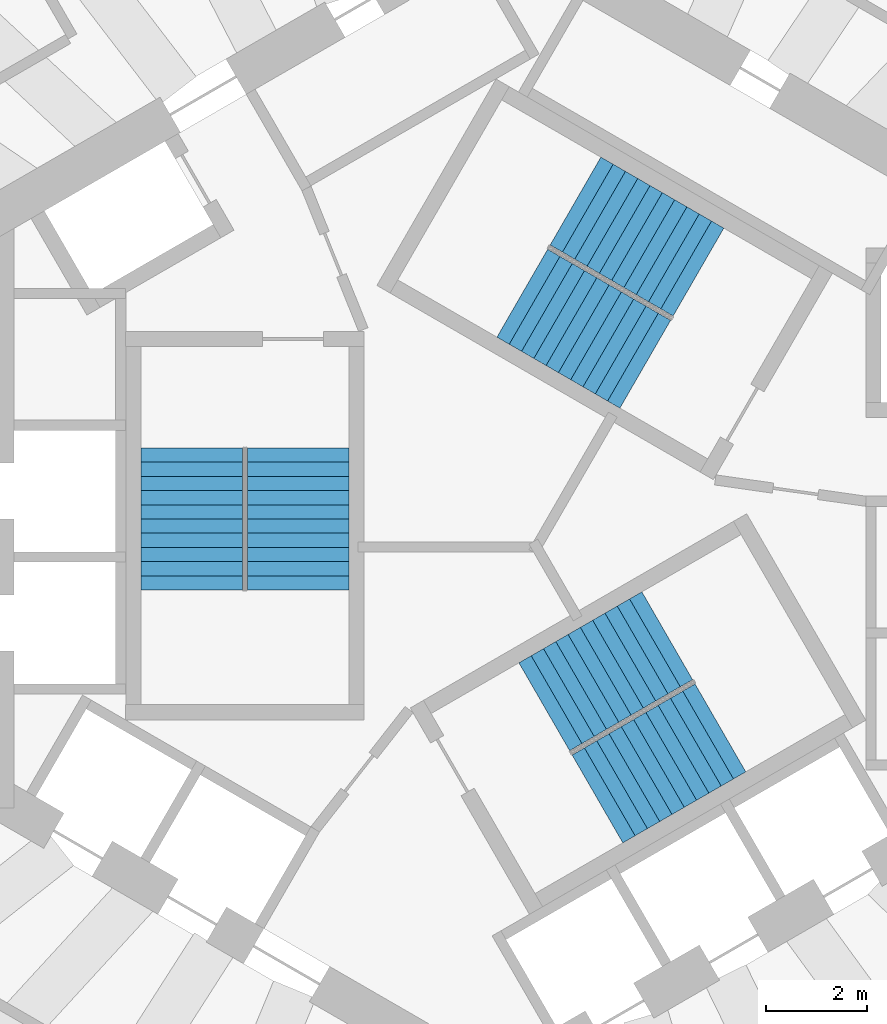
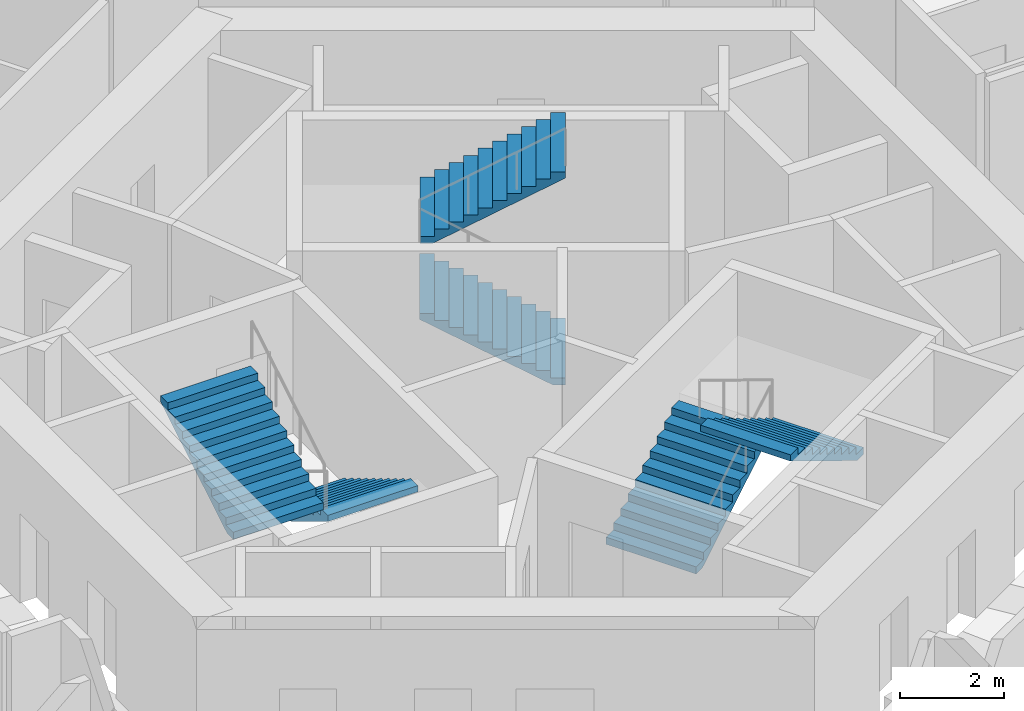
# One storey, part 9 of 11: 6 stair flights, 3 elements without a shape of their own.
"""IFC4 building model written with IfcOpenShell, lengths in metres."""

from ifc_helpers import new_model, si_unit, direction, frame, origin, place, context, subcontext, project, spatial, triangles, source, transform, mapped, material, type_object, element, aggregate, save


model = new_model("IFC4")

# Units and contexts
model_context = context("Model", 3, precision=1e-05, world=origin(), true_north=direction((0.0, 1.0)))
body_context = subcontext(model_context, "Body", "Model", "MODEL_VIEW")
ifc_project = project(units=[si_unit("LENGTHUNIT", "METRE"), si_unit("AREAUNIT", "SQUARE_METRE"), si_unit("VOLUMEUNIT", "CUBIC_METRE"), si_unit("PLANEANGLEUNIT", "RADIAN"), si_unit("MASSUNIT", "GRAM", prefix="KILO")], contexts=[model_context])

# Site, building, storey
site_placement = place(None, origin())
site = spatial("IfcSite", under=ifc_project, at=site_placement, CompositionType="ELEMENT")
building_placement = place(site_placement, origin())
building = spatial("IfcBuilding", under=site, at=building_placement, Name="Vanh Sen Convention Tower", CompositionType="ELEMENT")
storey_placement = place(building_placement, frame((0.0, 0.0, 210.60009765625)))
storey = spatial("IfcBuildingStorey", under=building, at=storey_placement, Name="L52", CompositionType="ELEMENT", Elevation=210.60009765625)

# Stair, stair flights
ifc_material_1 = material(Name="Concrete C50/60", Category="concrete")
stair_type_1 = type_object("IfcStairType", Name="Exit stair ST1 22 risers at 168.2", PredefinedType="HALF_TURN_STAIR", material=ifc_material_1)
stair_1_placement = place(storey_placement, origin())
stair_1 = element("IfcStair", 1, at=stair_1_placement, inside=storey, type_object=stair_type_1, Name="Exit stair ST1 L52", PredefinedType="HALF_TURN_STAIR")
ifc_material_2 = material(Name="Concrete C40/50", Category="concrete")
stair_flight_type = type_object("IfcStairFlightType", Name="Stair flight 2000", PredefinedType="STRAIGHT", material=ifc_material_2)
shared_shape = source(origin(), body_context, "Body", "Tessellation", [
    triangles([(0.24267578125, 1.0, 0.0), (0.0, 1.0, 0.0), (0.0, 1.0, 0.168212890625), (0.280029296875, 1.0, 0.168212890625), (0.280029296875, 1.0, 0.33642578125), (0.56005859375, 1.0, 0.33642578125), (0.56005859375, 1.0, 0.504638671875), (0.840087890625, 1.0, 0.504638671875), (0.840087890625, 1.0, 0.672607421875), (1.1201171875, 1.0, 0.672607421875), (1.1201171875, 1.0, 0.8408203125), (1.39990234375, 1.0, 0.8408203125), (1.39990234375, 1.0, 1.009033203125), (1.679931640625, 1.0, 1.009033203125), (1.679931640625, 1.0, 1.17724609375), (1.9599609375, 1.0, 1.17724609375), (1.9599609375, 1.0, 1.345458984375), (2.239990234375, 1.0, 1.345458984375), (2.239990234375, 1.0, 1.513671875), (2.52001953125, 1.0, 1.513671875), (2.52001953125, 1.0, 1.681884765625), (2.800048828125, 1.0, 1.681884765625), (2.800048828125, 1.0, 1.535888671875), (0.24267578125, -1.0, 0.0), (0.0, -1.0, 0.0), (0.0, -1.0, 0.168212890625), (0.280029296875, -1.0, 0.168212890625), (0.280029296875, -1.0, 0.33642578125), (0.56005859375, -1.0, 0.33642578125), (0.56005859375, -1.0, 0.504638671875), (0.840087890625, -1.0, 0.504638671875), (0.840087890625, -1.0, 0.672607421875), (1.1201171875, -1.0, 0.672607421875), (1.1201171875, -1.0, 0.8408203125), (1.39990234375, -1.0, 0.8408203125), (1.39990234375, -1.0, 1.009033203125), (1.679931640625, -1.0, 1.009033203125), (1.679931640625, -1.0, 1.17724609375), (1.9599609375, -1.0, 1.17724609375), (1.9599609375, -1.0, 1.345458984375), (2.239990234375, -1.0, 1.345458984375), (2.239990234375, -1.0, 1.513671875), (2.52001953125, -1.0, 1.513671875), (2.52001953125, -1.0, 1.681884765625), (2.800048828125, -1.0, 1.681884765625), (2.800048828125, -1.0, 1.535888671875), (0.0, 0.0400390625, 0.0), (0.0, 0.0390625, 0.0), (0.0, 0.0380859375, 0.0), (0.0, 0.037109375, 0.0), (0.0, 0.035888671875, 0.0), (0.0, 0.034912109375, 0.0), (0.0, 0.033935546875, 0.0), (0.0, 0.032958984375, 0.0), (0.0, 0.031982421875, 0.0), (0.0, 0.031005859375, 0.0), (0.0, 0.030029296875, 0.0), (0.0, 0.029052734375, 0.0), (0.0, 0.028076171875, 0.0), (0.0, 0.027099609375, 0.0), (0.0, 0.02587890625, 0.0), (0.0, 0.02490234375, 0.0), (0.0, 0.02392578125, 0.0), (0.0, 0.02294921875, 0.0), (0.0, 0.02197265625, 0.0), (0.0, 0.02099609375, 0.0), (0.0, 0.02001953125, 0.0), (0.0, 0.01904296875, 0.0), (0.0, 0.01806640625, 0.0), (0.0, 0.01708984375, 0.0), (0.0, 0.01611328125, 0.0), (0.0, 0.014892578125, 0.0), (0.0, 0.013916015625, 0.0), (0.0, 0.012939453125, 0.0), (0.0, 0.011962890625, 0.0), (0.0, 0.010986328125, 0.0), (0.0, 0.010009765625, 0.0), (0.0, 0.009033203125, 0.0), (0.0, 0.008056640625, 0.0), (0.0, 0.007080078125, 0.0), (0.0, 0.006103515625, 0.0), (0.0, 0.0048828125, 0.0), (0.0, 0.00390625, 0.0), (0.0, 0.0029296875, 0.0), (0.0, 0.001953125, 0.0), (0.0, 0.0009765625, 0.0), (0.0, 0.0, 0.0), (0.0, -0.0009765625, 0.0), (0.0, -0.001953125, 0.0), (0.0, -0.0029296875, 0.0), (0.0, -0.00390625, 0.0), (0.0, -0.0048828125, 0.0), (0.0, -0.006103515625, 0.0), (0.0, -0.007080078125, 0.0), (0.0, -0.008056640625, 0.0), (0.0, -0.009033203125, 0.0), (0.0, -0.010009765625, 0.0), (0.0, -0.010986328125, 0.0), (0.0, -0.011962890625, 0.0), (0.0, -0.012939453125, 0.0), (0.0, -0.013916015625, 0.0), (0.0, -0.014892578125, 0.0), (0.0, -0.01611328125, 0.0), (0.0, -0.01708984375, 0.0), (0.0, -0.01806640625, 0.0), (0.0, -0.01904296875, 0.0), (0.0, -0.02001953125, 0.0), (0.0, -0.02099609375, 0.0), (0.0, -0.02197265625, 0.0), (0.0, -0.02294921875, 0.0), (0.0, -0.02392578125, 0.0), (0.0, -0.02490234375, 0.0), (0.0, -0.02587890625, 0.0), (0.0, -0.027099609375, 0.0), (0.0, -0.028076171875, 0.0), (0.0, -0.029052734375, 0.0), (0.0, -0.030029296875, 0.0), (0.0, -0.031005859375, 0.0), (0.0, -0.031982421875, 0.0), (0.0, -0.032958984375, 0.0), (0.0, -0.033935546875, 0.0), (0.0, -0.034912109375, 0.0), (0.0, -0.035888671875, 0.0), (0.0, -0.037109375, 0.0), (0.0, -0.0380859375, 0.0), (0.0, -0.0390625, 0.0), (0.0, -0.0400390625, 0.0), (0.0, 0.0400390625, 0.168212890625), (0.0, 0.0390625, 0.168212890625), (0.0, 0.0380859375, 0.168212890625), (0.0, 0.037109375, 0.168212890625), (0.0, 0.035888671875, 0.168212890625), (0.0, 0.034912109375, 0.168212890625), (0.0, 0.033935546875, 0.168212890625), (0.0, 0.032958984375, 0.168212890625), (0.0, 0.031982421875, 0.168212890625), (0.0, 0.031005859375, 0.168212890625), (0.0, 0.030029296875, 0.168212890625), (0.0, 0.029052734375, 0.168212890625), (0.0, 0.028076171875, 0.168212890625), (0.0, 0.027099609375, 0.168212890625), (0.0, 0.02587890625, 0.168212890625), (0.0, 0.02490234375, 0.168212890625), (0.0, 0.02392578125, 0.168212890625), (0.0, 0.02294921875, 0.168212890625), (0.0, 0.02197265625, 0.168212890625), (0.0, 0.02099609375, 0.168212890625), (0.0, 0.02001953125, 0.168212890625), (0.0, 0.01904296875, 0.168212890625), (0.0, 0.01806640625, 0.168212890625), (0.0, 0.01708984375, 0.168212890625), (0.0, 0.01611328125, 0.168212890625), (0.0, 0.014892578125, 0.168212890625), (0.0, 0.013916015625, 0.168212890625), (0.0, 0.012939453125, 0.168212890625), (0.0, 0.011962890625, 0.168212890625), (0.0, 0.010986328125, 0.168212890625), (0.0, 0.010009765625, 0.168212890625), (0.0, 0.009033203125, 0.168212890625), (0.0, 0.008056640625, 0.168212890625), (0.0, 0.007080078125, 0.168212890625), (0.0, 0.006103515625, 0.168212890625), (0.0, 0.0048828125, 0.168212890625), (0.0, 0.00390625, 0.168212890625), (0.0, 0.0029296875, 0.168212890625), (0.0, 0.001953125, 0.168212890625), (0.0, 0.0009765625, 0.168212890625), (0.0, 0.0, 0.168212890625), (0.0, -0.0009765625, 0.168212890625), (0.0, -0.001953125, 0.168212890625), (0.0, -0.0029296875, 0.168212890625), (0.0, -0.00390625, 0.168212890625), (0.0, -0.0048828125, 0.168212890625), (0.0, -0.006103515625, 0.168212890625), (0.0, -0.007080078125, 0.168212890625), (0.0, -0.008056640625, 0.168212890625), (0.0, -0.009033203125, 0.168212890625), (0.0, -0.010009765625, 0.168212890625), (0.0, -0.010986328125, 0.168212890625), (0.0, -0.011962890625, 0.168212890625), (0.0, -0.012939453125, 0.168212890625), (0.0, -0.013916015625, 0.168212890625), (0.0, -0.014892578125, 0.168212890625), (0.0, -0.01611328125, 0.168212890625), (0.0, -0.01708984375, 0.168212890625), (0.0, -0.01806640625, 0.168212890625), (0.0, -0.01904296875, 0.168212890625), (0.0, -0.02001953125, 0.168212890625), (0.0, -0.02099609375, 0.168212890625), (0.0, -0.02197265625, 0.168212890625), (0.0, -0.02294921875, 0.168212890625), (0.0, -0.02392578125, 0.168212890625), (0.0, -0.02490234375, 0.168212890625), (0.0, -0.02587890625, 0.168212890625), (0.0, -0.027099609375, 0.168212890625), (0.0, -0.028076171875, 0.168212890625), (0.0, -0.029052734375, 0.168212890625), (0.0, -0.030029296875, 0.168212890625), (0.0, -0.031005859375, 0.168212890625), (0.0, -0.031982421875, 0.168212890625), (0.0, -0.032958984375, 0.168212890625), (0.0, -0.033935546875, 0.168212890625), (0.0, -0.034912109375, 0.168212890625), (0.0, -0.035888671875, 0.168212890625), (0.0, -0.037109375, 0.168212890625), (0.0, -0.0380859375, 0.168212890625), (0.0, -0.0390625, 0.168212890625), (0.0, -0.0400390625, 0.168212890625), (0.280029296875, 0.0, 0.168212890625), (0.280029296875, 0.0, 0.33642578125), (0.56005859375, 0.0, 0.33642578125), (0.56005859375, 0.0, 0.504638671875), (0.840087890625, 0.0, 0.504638671875), (0.840087890625, 0.0, 0.672607421875), (1.1201171875, 0.0, 0.672607421875), (1.1201171875, 0.0, 0.8408203125), (1.39990234375, 0.0, 0.8408203125), (1.39990234375, 0.0, 1.009033203125), (1.679931640625, 0.0, 1.009033203125), (1.679931640625, 0.0, 1.17724609375), (1.9599609375, 0.0, 1.17724609375), (1.9599609375, 0.0, 1.345458984375), (2.239990234375, 0.0, 1.345458984375), (2.239990234375, 0.0, 1.513671875), (2.52001953125, 0.0, 1.513671875), (2.52001953125, 0.0, 1.681884765625), (2.800048828125, 0.0400390625, 1.681884765625), (2.800048828125, 0.0390625, 1.681884765625), (2.800048828125, 0.0380859375, 1.681884765625), (2.800048828125, 0.037109375, 1.681884765625), (2.800048828125, 0.035888671875, 1.681884765625), (2.800048828125, 0.034912109375, 1.681884765625), (2.800048828125, 0.033935546875, 1.681884765625), (2.800048828125, 0.032958984375, 1.681884765625), (2.800048828125, 0.031982421875, 1.681884765625), (2.800048828125, 0.031005859375, 1.681884765625), (2.800048828125, 0.030029296875, 1.681884765625), (2.800048828125, 0.029052734375, 1.681884765625), (2.800048828125, 0.028076171875, 1.681884765625), (2.800048828125, 0.027099609375, 1.681884765625), (2.800048828125, 0.02587890625, 1.681884765625), (2.800048828125, 0.02490234375, 1.681884765625), (2.800048828125, 0.02392578125, 1.681884765625), (2.800048828125, 0.02294921875, 1.681884765625), (2.800048828125, 0.02197265625, 1.681884765625), (2.800048828125, 0.02099609375, 1.681884765625), (2.800048828125, 0.02001953125, 1.681884765625), (2.800048828125, 0.01904296875, 1.681884765625), (2.800048828125, 0.01806640625, 1.681884765625), (2.800048828125, 0.01708984375, 1.681884765625), (2.800048828125, 0.01611328125, 1.681884765625), (2.800048828125, 0.014892578125, 1.681884765625), (2.800048828125, 0.013916015625, 1.681884765625), (2.800048828125, 0.012939453125, 1.681884765625), (2.800048828125, 0.011962890625, 1.681884765625), (2.800048828125, 0.010986328125, 1.681884765625), (2.800048828125, 0.010009765625, 1.681884765625), (2.800048828125, 0.009033203125, 1.681884765625), (2.800048828125, 0.008056640625, 1.681884765625), (2.800048828125, 0.007080078125, 1.681884765625), (2.800048828125, 0.006103515625, 1.681884765625), (2.800048828125, 0.0048828125, 1.681884765625), (2.800048828125, 0.00390625, 1.681884765625), (2.800048828125, 0.0029296875, 1.681884765625), (2.800048828125, 0.001953125, 1.681884765625), (2.800048828125, 0.0009765625, 1.681884765625), (2.800048828125, 0.0, 1.681884765625), (2.800048828125, -0.0009765625, 1.681884765625), (2.800048828125, -0.001953125, 1.681884765625), (2.800048828125, -0.0029296875, 1.681884765625), (2.800048828125, -0.00390625, 1.681884765625), (2.800048828125, -0.0048828125, 1.681884765625), (2.800048828125, -0.006103515625, 1.681884765625), (2.800048828125, -0.007080078125, 1.681884765625), (2.800048828125, -0.008056640625, 1.681884765625), (2.800048828125, -0.009033203125, 1.681884765625), (2.800048828125, -0.010009765625, 1.681884765625), (2.800048828125, -0.010986328125, 1.681884765625), (2.800048828125, -0.011962890625, 1.681884765625), (2.800048828125, -0.012939453125, 1.681884765625), (2.800048828125, -0.013916015625, 1.681884765625), (2.800048828125, -0.014892578125, 1.681884765625), (2.800048828125, -0.01611328125, 1.681884765625), (2.800048828125, -0.01708984375, 1.681884765625), (2.800048828125, -0.01806640625, 1.681884765625), (2.800048828125, -0.01904296875, 1.681884765625), (2.800048828125, -0.02001953125, 1.681884765625), (2.800048828125, -0.02099609375, 1.681884765625), (2.800048828125, -0.02197265625, 1.681884765625), (2.800048828125, -0.02294921875, 1.681884765625), (2.800048828125, -0.02392578125, 1.681884765625), (2.800048828125, -0.02490234375, 1.681884765625), (2.800048828125, -0.02587890625, 1.681884765625), (2.800048828125, -0.027099609375, 1.681884765625), (2.800048828125, -0.028076171875, 1.681884765625), (2.800048828125, -0.029052734375, 1.681884765625), (2.800048828125, -0.030029296875, 1.681884765625), (2.800048828125, -0.031005859375, 1.681884765625), (2.800048828125, -0.031982421875, 1.681884765625), (2.800048828125, -0.032958984375, 1.681884765625), (2.800048828125, -0.033935546875, 1.681884765625), (2.800048828125, -0.034912109375, 1.681884765625), (2.800048828125, -0.035888671875, 1.681884765625), (2.800048828125, -0.037109375, 1.681884765625), (2.800048828125, -0.0380859375, 1.681884765625), (2.800048828125, -0.0390625, 1.681884765625), (2.800048828125, -0.0400390625, 1.681884765625), (2.800048828125, 0.0400390625, 1.535888671875), (2.800048828125, 0.0390625, 1.535888671875), (2.800048828125, 0.0380859375, 1.535888671875), (2.800048828125, 0.037109375, 1.535888671875), (2.800048828125, 0.035888671875, 1.535888671875), (2.800048828125, 0.034912109375, 1.535888671875), (2.800048828125, 0.033935546875, 1.535888671875), (2.800048828125, 0.032958984375, 1.535888671875), (2.800048828125, 0.031982421875, 1.535888671875), (2.800048828125, 0.031005859375, 1.535888671875), (2.800048828125, 0.030029296875, 1.535888671875), (2.800048828125, 0.029052734375, 1.535888671875), (2.800048828125, 0.028076171875, 1.535888671875), (2.800048828125, 0.027099609375, 1.535888671875), (2.800048828125, 0.02587890625, 1.535888671875), (2.800048828125, 0.02490234375, 1.535888671875), (2.800048828125, 0.02392578125, 1.535888671875), (2.800048828125, 0.02294921875, 1.535888671875), (2.800048828125, 0.02197265625, 1.535888671875), (2.800048828125, 0.02099609375, 1.535888671875), (2.800048828125, 0.02001953125, 1.535888671875), (2.800048828125, 0.01904296875, 1.535888671875), (2.800048828125, 0.01806640625, 1.535888671875), (2.800048828125, 0.01708984375, 1.535888671875), (2.800048828125, 0.01611328125, 1.535888671875), (2.800048828125, 0.014892578125, 1.535888671875), (2.800048828125, 0.013916015625, 1.535888671875), (2.800048828125, 0.012939453125, 1.535888671875), (2.800048828125, 0.011962890625, 1.535888671875), (2.800048828125, 0.010986328125, 1.535888671875), (2.800048828125, 0.010009765625, 1.535888671875), (2.800048828125, 0.009033203125, 1.535888671875), (2.800048828125, 0.008056640625, 1.535888671875), (2.800048828125, 0.007080078125, 1.535888671875), (2.800048828125, 0.006103515625, 1.535888671875), (2.800048828125, 0.0048828125, 1.535888671875), (2.800048828125, 0.00390625, 1.535888671875), (2.800048828125, 0.0029296875, 1.535888671875), (2.800048828125, 0.001953125, 1.535888671875), (2.800048828125, 0.0009765625, 1.535888671875), (2.800048828125, 0.0, 1.535888671875), (2.800048828125, -0.0009765625, 1.535888671875), (2.800048828125, -0.001953125, 1.535888671875), (2.800048828125, -0.0029296875, 1.535888671875), (2.800048828125, -0.00390625, 1.535888671875), (2.800048828125, -0.0048828125, 1.535888671875), (2.800048828125, -0.006103515625, 1.535888671875), (2.800048828125, -0.007080078125, 1.535888671875), (2.800048828125, -0.008056640625, 1.535888671875), (2.800048828125, -0.009033203125, 1.535888671875), (2.800048828125, -0.010009765625, 1.535888671875), (2.800048828125, -0.010986328125, 1.535888671875), (2.800048828125, -0.011962890625, 1.535888671875), (2.800048828125, -0.012939453125, 1.535888671875), (2.800048828125, -0.013916015625, 1.535888671875), (2.800048828125, -0.014892578125, 1.535888671875), (2.800048828125, -0.01611328125, 1.535888671875), (2.800048828125, -0.01708984375, 1.535888671875), (2.800048828125, -0.01806640625, 1.535888671875), (2.800048828125, -0.01904296875, 1.535888671875), (2.800048828125, -0.02001953125, 1.535888671875), (2.800048828125, -0.02099609375, 1.535888671875), (2.800048828125, -0.02197265625, 1.535888671875), (2.800048828125, -0.02294921875, 1.535888671875), (2.800048828125, -0.02392578125, 1.535888671875), (2.800048828125, -0.02490234375, 1.535888671875), (2.800048828125, -0.02587890625, 1.535888671875), (2.800048828125, -0.027099609375, 1.535888671875), (2.800048828125, -0.028076171875, 1.535888671875), (2.800048828125, -0.029052734375, 1.535888671875), (2.800048828125, -0.030029296875, 1.535888671875), (2.800048828125, -0.031005859375, 1.535888671875), (2.800048828125, -0.031982421875, 1.535888671875), (2.800048828125, -0.032958984375, 1.535888671875), (2.800048828125, -0.033935546875, 1.535888671875), (2.800048828125, -0.034912109375, 1.535888671875), (2.800048828125, -0.035888671875, 1.535888671875), (2.800048828125, -0.037109375, 1.535888671875), (2.800048828125, -0.0380859375, 1.535888671875), (2.800048828125, -0.0390625, 1.535888671875), (2.800048828125, -0.0400390625, 1.535888671875), (0.24267578125, 0.0, 0.0)], [[1, 2, 3], [1, 3, 4], [4, 5, 6], [1, 4, 6], [6, 7, 8], [1, 6, 8], [8, 9, 10], [1, 8, 10], [10, 11, 12], [1, 10, 12], [12, 13, 14], [1, 12, 14], [14, 15, 16], [1, 14, 16], [16, 17, 18], [1, 16, 18], [18, 19, 20], [1, 18, 20], [20, 21, 22], [1, 20, 22], [22, 23, 1], [24, 26, 25], [24, 27, 26], [27, 29, 28], [24, 29, 27], [29, 31, 30], [24, 31, 29], [31, 33, 32], [24, 33, 31], [33, 35, 34], [24, 35, 33], [35, 37, 36], [24, 37, 35], [37, 39, 38], [24, 39, 37], [39, 41, 40], [24, 41, 39], [41, 43, 42], [24, 43, 41], [43, 45, 44], [24, 45, 43], [45, 24, 46], [2, 128, 3], [2, 47, 128], [47, 129, 128], [47, 48, 129], [48, 130, 129], [48, 49, 130], [49, 131, 130], [49, 50, 131], [50, 132, 131], [50, 51, 132], [51, 133, 132], [51, 52, 133], [52, 134, 133], [52, 53, 134], [53, 135, 134], [53, 54, 135], [54, 136, 135], [54, 55, 136], [55, 137, 136], [55, 56, 137], [56, 138, 137], [56, 57, 138], [57, 139, 138], [57, 58, 139], [58, 140, 139], [58, 59, 140], [59, 141, 140], [59, 60, 141], [60, 142, 141], [60, 61, 142], [61, 143, 142], [61, 62, 143], [62, 144, 143], [62, 63, 144], [63, 145, 144], [63, 64, 145], [64, 146, 145], [64, 65, 146], [65, 147, 146], [65, 66, 147], [66, 148, 147], [66, 67, 148], [67, 149, 148], [67, 68, 149], [68, 150, 149], [68, 69, 150], [69, 151, 150], [69, 70, 151], [70, 152, 151], [70, 71, 152], [71, 153, 152], [71, 72, 153], [72, 154, 153], [72, 73, 154], [73, 155, 154], [73, 74, 155], [74, 156, 155], [74, 75, 156], [75, 157, 156], [75, 76, 157], [76, 158, 157], [76, 77, 158], [77, 159, 158], [77, 78, 159], [78, 160, 159], [78, 79, 160], [79, 161, 160], [79, 80, 161], [80, 162, 161], [80, 81, 162], [81, 163, 162], [81, 82, 163], [82, 164, 163], [82, 83, 164], [83, 165, 164], [83, 84, 165], [84, 166, 165], [84, 85, 166], [85, 167, 166], [85, 86, 167], [86, 168, 167], [86, 87, 168], [87, 88, 168], [168, 88, 169], [88, 89, 169], [169, 89, 170], [89, 90, 170], [170, 90, 171], [90, 91, 171], [171, 91, 172], [91, 92, 172], [172, 92, 173], [92, 93, 173], [173, 93, 174], [93, 94, 174], [174, 94, 175], [94, 95, 175], [175, 95, 176], [95, 96, 176], [176, 96, 177], [96, 97, 177], [177, 97, 178], [97, 98, 178], [178, 98, 179], [98, 99, 179], [179, 99, 180], [99, 100, 180], [180, 100, 181], [100, 101, 181], [181, 101, 182], [101, 102, 182], [182, 102, 183], [102, 103, 183], [183, 103, 184], [103, 104, 184], [184, 104, 185], [104, 105, 185], [185, 105, 186], [105, 106, 186], [186, 106, 187], [106, 107, 187], [187, 107, 188], [107, 108, 188], [188, 108, 189], [108, 109, 189], [189, 109, 190], [109, 110, 190], [190, 110, 191], [110, 111, 191], [191, 111, 192], [111, 112, 192], [192, 112, 193], [112, 113, 193], [193, 113, 194], [113, 114, 194], [194, 114, 195], [114, 115, 195], [195, 115, 196], [115, 116, 196], [196, 116, 197], [116, 117, 197], [197, 117, 198], [117, 118, 198], [198, 118, 199], [118, 119, 199], [199, 119, 200], [119, 120, 200], [200, 120, 201], [120, 121, 201], [201, 121, 202], [121, 122, 202], [202, 122, 203], [122, 123, 203], [203, 123, 204], [123, 124, 204], [204, 124, 205], [124, 125, 205], [205, 125, 206], [125, 126, 206], [206, 126, 207], [126, 127, 207], [207, 127, 208], [127, 25, 208], [208, 25, 26], [4, 3, 128], [4, 128, 129], [4, 129, 130], [4, 130, 131], [4, 131, 132], [4, 132, 133], [4, 133, 134], [4, 134, 135], [4, 135, 136], [4, 136, 137], [4, 137, 138], [4, 138, 139], [4, 139, 140], [4, 140, 141], [4, 141, 142], [4, 142, 143], [4, 143, 144], [4, 144, 145], [4, 145, 146], [4, 146, 147], [4, 147, 148], [4, 148, 149], [4, 149, 150], [4, 150, 151], [4, 151, 152], [4, 152, 153], [4, 153, 154], [4, 154, 155], [4, 155, 156], [4, 156, 157], [4, 157, 158], [4, 158, 159], [4, 159, 160], [4, 160, 161], [4, 161, 162], [4, 162, 163], [4, 163, 164], [4, 164, 165], [4, 165, 166], [4, 166, 167], [4, 167, 168], [27, 168, 169], [27, 169, 170], [27, 170, 171], [27, 171, 172], [27, 172, 173], [27, 173, 174], [27, 174, 175], [27, 175, 176], [27, 176, 177], [27, 177, 178], [27, 178, 179], [27, 179, 180], [27, 180, 181], [27, 181, 182], [27, 182, 183], [27, 183, 184], [27, 184, 185], [27, 185, 186], [27, 186, 187], [27, 187, 188], [27, 188, 189], [27, 189, 190], [27, 190, 191], [27, 191, 192], [27, 192, 193], [27, 193, 194], [27, 194, 195], [27, 195, 196], [27, 196, 197], [27, 197, 198], [27, 198, 199], [27, 199, 200], [27, 200, 201], [27, 201, 202], [27, 202, 203], [27, 203, 204], [27, 204, 205], [27, 205, 206], [27, 206, 207], [27, 207, 208], [27, 208, 26], [4, 168, 209], [27, 209, 168], [4, 210, 5], [4, 209, 210], [209, 27, 210], [210, 27, 28], [5, 211, 6], [5, 210, 211], [210, 28, 211], [211, 28, 29], [6, 212, 7], [6, 211, 212], [211, 29, 212], [212, 29, 30], [7, 213, 8], [7, 212, 213], [212, 30, 213], [213, 30, 31], [8, 214, 9], [8, 213, 214], [213, 31, 214], [214, 31, 32], [9, 215, 10], [9, 214, 215], [214, 32, 215], [215, 32, 33], [10, 216, 11], [10, 215, 216], [215, 33, 216], [216, 33, 34], [11, 217, 12], [11, 216, 217], [216, 34, 217], [217, 34, 35], [12, 218, 13], [12, 217, 218], [217, 35, 218], [218, 35, 36], [13, 219, 14], [13, 218, 219], [218, 36, 219], [219, 36, 37], [14, 220, 15], [14, 219, 220], [219, 37, 220], [220, 37, 38], [15, 221, 16], [15, 220, 221], [220, 38, 221], [221, 38, 39], [16, 222, 17], [16, 221, 222], [221, 39, 222], [222, 39, 40], [17, 223, 18], [17, 222, 223], [222, 40, 223], [223, 40, 41], [18, 224, 19], [18, 223, 224], [223, 41, 224], [224, 41, 42], [19, 225, 20], [19, 224, 225], [224, 42, 225], [225, 42, 43], [20, 226, 21], [20, 225, 226], [225, 43, 226], [226, 43, 44], [21, 227, 22], [21, 228, 227], [21, 229, 228], [21, 230, 229], [21, 231, 230], [21, 232, 231], [21, 233, 232], [21, 234, 233], [21, 235, 234], [21, 236, 235], [21, 237, 236], [21, 238, 237], [21, 239, 238], [21, 240, 239], [21, 241, 240], [21, 242, 241], [21, 243, 242], [21, 244, 243], [21, 245, 244], [21, 246, 245], [21, 247, 246], [21, 248, 247], [21, 249, 248], [21, 250, 249], [21, 251, 250], [21, 252, 251], [21, 253, 252], [21, 254, 253], [21, 255, 254], [21, 256, 255], [21, 257, 256], [21, 258, 257], [21, 259, 258], [21, 260, 259], [21, 261, 260], [21, 262, 261], [21, 263, 262], [21, 264, 263], [21, 265, 264], [21, 266, 265], [21, 267, 266], [44, 268, 267], [44, 269, 268], [44, 270, 269], [44, 271, 270], [44, 272, 271], [44, 273, 272], [44, 274, 273], [44, 275, 274], [44, 276, 275], [44, 277, 276], [44, 278, 277], [44, 279, 278], [44, 280, 279], [44, 281, 280], [44, 282, 281], [44, 283, 282], [44, 284, 283], [44, 285, 284], [44, 286, 285], [44, 287, 286], [44, 288, 287], [44, 289, 288], [44, 290, 289], [44, 291, 290], [44, 292, 291], [44, 293, 292], [44, 294, 293], [44, 295, 294], [44, 296, 295], [44, 297, 296], [44, 298, 297], [44, 299, 298], [44, 300, 299], [44, 301, 300], [44, 302, 301], [44, 303, 302], [44, 304, 303], [44, 305, 304], [44, 306, 305], [44, 307, 306], [44, 45, 307], [21, 226, 267], [44, 267, 226], [22, 308, 23], [22, 227, 308], [227, 309, 308], [227, 228, 309], [228, 310, 309], [228, 229, 310], [229, 311, 310], [229, 230, 311], [230, 312, 311], [230, 231, 312], [231, 313, 312], [231, 232, 313], [232, 314, 313], [232, 233, 314], [233, 315, 314], [233, 234, 315], [234, 316, 315], [234, 235, 316], [235, 317, 316], [235, 236, 317], [236, 318, 317], [236, 237, 318], [237, 319, 318], [237, 238, 319], [238, 320, 319], [238, 239, 320], [239, 321, 320], [239, 240, 321], [240, 322, 321], [240, 241, 322], [241, 323, 322], [241, 242, 323], [242, 324, 323], [242, 243, 324], [243, 325, 324], [243, 244, 325], [244, 326, 325], [244, 245, 326], [245, 327, 326], [245, 246, 327], [246, 328, 327], [246, 247, 328], [247, 329, 328], [247, 248, 329], [248, 330, 329], [248, 249, 330], [249, 331, 330], [249, 250, 331], [250, 332, 331], [250, 251, 332], [251, 333, 332], [251, 252, 333], [252, 334, 333], [252, 253, 334], [253, 335, 334], [253, 254, 335], [254, 336, 335], [254, 255, 336], [255, 337, 336], [255, 256, 337], [256, 338, 337], [256, 257, 338], [257, 339, 338], [257, 258, 339], [258, 340, 339], [258, 259, 340], [259, 341, 340], [259, 260, 341], [260, 342, 341], [260, 261, 342], [261, 343, 342], [261, 262, 343], [262, 344, 343], [262, 263, 344], [263, 345, 344], [263, 264, 345], [264, 346, 345], [264, 265, 346], [265, 347, 346], [265, 266, 347], [266, 348, 347], [266, 267, 348], [267, 268, 348], [348, 268, 349], [268, 269, 349], [349, 269, 350], [269, 270, 350], [350, 270, 351], [270, 271, 351], [351, 271, 352], [271, 272, 352], [352, 272, 353], [272, 273, 353], [353, 273, 354], [273, 274, 354], [354, 274, 355], [274, 275, 355], [355, 275, 356], [275, 276, 356], [356, 276, 357], [276, 277, 357], [357, 277, 358], [277, 278, 358], [358, 278, 359], [278, 279, 359], [359, 279, 360], [279, 280, 360], [360, 280, 361], [280, 281, 361], [361, 281, 362], [281, 282, 362], [362, 282, 363], [282, 283, 363], [363, 283, 364], [283, 284, 364], [364, 284, 365], [284, 285, 365], [365, 285, 366], [285, 286, 366], [366, 286, 367], [286, 287, 367], [367, 287, 368], [287, 288, 368], [368, 288, 369], [288, 289, 369], [369, 289, 370], [289, 290, 370], [370, 290, 371], [290, 291, 371], [371, 291, 372], [291, 292, 372], [372, 292, 373], [292, 293, 373], [373, 293, 374], [293, 294, 374], [374, 294, 375], [294, 295, 375], [375, 295, 376], [295, 296, 376], [376, 296, 377], [296, 297, 377], [377, 297, 378], [297, 298, 378], [378, 298, 379], [298, 299, 379], [379, 299, 380], [299, 300, 380], [380, 300, 381], [300, 301, 381], [381, 301, 382], [301, 302, 382], [382, 302, 383], [302, 303, 383], [383, 303, 384], [303, 304, 384], [384, 304, 385], [304, 305, 385], [385, 305, 386], [305, 306, 386], [386, 306, 387], [306, 307, 387], [387, 307, 388], [307, 45, 388], [388, 45, 46], [1, 23, 308], [1, 308, 309], [1, 309, 310], [1, 310, 311], [1, 311, 312], [1, 312, 313], [1, 313, 314], [1, 314, 315], [1, 315, 316], [1, 316, 317], [1, 317, 318], [1, 318, 319], [1, 319, 320], [1, 320, 321], [1, 321, 322], [1, 322, 323], [1, 323, 324], [1, 324, 325], [1, 325, 326], [1, 326, 327], [1, 327, 328], [1, 328, 329], [1, 329, 330], [1, 330, 331], [1, 331, 332], [1, 332, 333], [1, 333, 334], [1, 334, 335], [1, 335, 336], [1, 336, 337], [1, 337, 338], [1, 338, 339], [1, 339, 340], [1, 340, 341], [1, 341, 342], [1, 342, 343], [1, 343, 344], [1, 344, 345], [1, 345, 346], [1, 346, 347], [1, 347, 348], [24, 348, 349], [24, 349, 350], [24, 350, 351], [24, 351, 352], [24, 352, 353], [24, 353, 354], [24, 354, 355], [24, 355, 356], [24, 356, 357], [24, 357, 358], [24, 358, 359], [24, 359, 360], [24, 360, 361], [24, 361, 362], [24, 362, 363], [24, 363, 364], [24, 364, 365], [24, 365, 366], [24, 366, 367], [24, 367, 368], [24, 368, 369], [24, 369, 370], [24, 370, 371], [24, 371, 372], [24, 372, 373], [24, 373, 374], [24, 374, 375], [24, 375, 376], [24, 376, 377], [24, 377, 378], [24, 378, 379], [24, 379, 380], [24, 380, 381], [24, 381, 382], [24, 382, 383], [24, 383, 384], [24, 384, 385], [24, 385, 386], [24, 386, 387], [24, 387, 388], [24, 388, 46], [1, 348, 389], [24, 389, 348], [1, 47, 2], [1, 48, 47], [1, 49, 48], [1, 50, 49], [1, 51, 50], [1, 52, 51], [1, 53, 52], [1, 54, 53], [1, 55, 54], [1, 56, 55], [1, 57, 56], [1, 58, 57], [1, 59, 58], [1, 60, 59], [1, 61, 60], [1, 62, 61], [1, 63, 62], [1, 64, 63], [1, 65, 64], [1, 66, 65], [1, 67, 66], [1, 68, 67], [1, 69, 68], [1, 70, 69], [1, 71, 70], [1, 72, 71], [1, 73, 72], [1, 74, 73], [1, 75, 74], [1, 76, 75], [1, 77, 76], [1, 78, 77], [1, 79, 78], [1, 80, 79], [1, 81, 80], [1, 82, 81], [1, 83, 82], [1, 84, 83], [1, 85, 84], [1, 86, 85], [1, 87, 86], [24, 88, 87], [24, 89, 88], [24, 90, 89], [24, 91, 90], [24, 92, 91], [24, 93, 92], [24, 94, 93], [24, 95, 94], [24, 96, 95], [24, 97, 96], [24, 98, 97], [24, 99, 98], [24, 100, 99], [24, 101, 100], [24, 102, 101], [24, 103, 102], [24, 104, 103], [24, 105, 104], [24, 106, 105], [24, 107, 106], [24, 108, 107], [24, 109, 108], [24, 110, 109], [24, 111, 110], [24, 112, 111], [24, 113, 112], [24, 114, 113], [24, 115, 114], [24, 116, 115], [24, 117, 116], [24, 118, 117], [24, 119, 118], [24, 120, 119], [24, 121, 120], [24, 122, 121], [24, 123, 122], [24, 124, 123], [24, 125, 124], [24, 126, 125], [24, 127, 126], [24, 25, 127], [1, 389, 87], [24, 87, 389]], closed=True),
])
stair_flight_1_placement = place(storey_placement, frame((2.94580078125, 2.802490234375, 0.0), z_axis=(0.0, 0.0, 1.0), x_axis=(-0.866025403784, 0.5, 0.0)))
stair_flight_1 = element("IfcStairFlight", 2, at=stair_flight_1_placement, type_object=stair_flight_type, Name="ST1 flight 1", NumberOfRisers=11, NumberOfTreads=10, PredefinedType="STRAIGHT", RiserHeight=0.168181818, TreadLength=0.28, context=body_context, shape_type="MappedRepresentation", body=[
    mapped(shared_shape, transform((0.0, 0.0, 0.0))),
])
stair_flight_2_placement = place(storey_placement, frame((1.571044921875, 6.021240234375, 1.849853515625), z_axis=(0.0, 0.0, 1.0), x_axis=(0.866025403784, -0.5, 0.0)))
stair_flight_2 = element("IfcStairFlight", 3, at=stair_flight_2_placement, type_object=stair_flight_type, Name="ST1 flight 2", NumberOfRisers=11, NumberOfTreads=10, PredefinedType="STRAIGHT", RiserHeight=0.168181818, TreadLength=0.28, context=body_context, shape_type="MappedRepresentation", body=[
    mapped(shared_shape, transform((0.0, 0.0, 0.0))),
])
aggregate(stair_1, [stair_flight_1, stair_flight_2])

stair_type_2 = type_object("IfcStairType", Name="Exit stair ST2 22 risers at 168.2", PredefinedType="HALF_TURN_STAIR", material=ifc_material_1)
stair_2_placement = place(storey_placement, origin())
stair_2 = element("IfcStair", 4, at=stair_2_placement, inside=storey, type_object=stair_type_2, Name="Exit stair ST2 L52", PredefinedType="HALF_TURN_STAIR")
stair_flight_3_placement = place(storey_placement, frame((-3.89990234375, 1.14990234375, 0.0), z_axis=(0.0, 0.0, 1.0), x_axis=(0.0, -1.0, 0.0)))
stair_flight_3 = element("IfcStairFlight", 5, at=stair_flight_3_placement, type_object=stair_flight_type, Name="ST2 flight 1", NumberOfRisers=11, NumberOfTreads=10, PredefinedType="STRAIGHT", RiserHeight=0.168181818, TreadLength=0.28, context=body_context, shape_type="MappedRepresentation", body=[
    mapped(shared_shape, transform((0.0, 0.0, 0.0))),
])
stair_flight_4_placement = place(storey_placement, frame((-6.0, -1.64990234375, 1.849853515625), z_axis=(0.0, 0.0, 1.0), x_axis=(0.0, 1.0, 0.0)))
stair_flight_4 = element("IfcStairFlight", 6, at=stair_flight_4_placement, type_object=stair_flight_type, Name="ST2 flight 2", NumberOfRisers=11, NumberOfTreads=10, PredefinedType="STRAIGHT", RiserHeight=0.168181818, TreadLength=0.28, context=body_context, shape_type="MappedRepresentation", body=[
    mapped(shared_shape, transform((0.0, 0.0, 0.0))),
])
aggregate(stair_2, [stair_flight_3, stair_flight_4])

stair_type_3 = type_object("IfcStairType", Name="Exit stair ST3 22 risers at 168.2", PredefinedType="HALF_TURN_STAIR", material=ifc_material_1)
stair_3_placement = place(storey_placement, origin())
stair_3 = element("IfcStair", 7, at=stair_3_placement, inside=storey, type_object=stair_type_3, Name="Exit stair ST3 L52", PredefinedType="HALF_TURN_STAIR")
stair_flight_5_placement = place(storey_placement, frame((0.9541015625, -3.952392578125, 0.0), z_axis=(0.0, 0.0, 1.0), x_axis=(0.866025403784, 0.5, 0.0)))
stair_flight_5 = element("IfcStairFlight", 8, at=stair_flight_5_placement, type_object=stair_flight_type, Name="ST3 flight 1", NumberOfRisers=11, NumberOfTreads=10, PredefinedType="STRAIGHT", RiserHeight=0.168181818, TreadLength=0.28, context=body_context, shape_type="MappedRepresentation", body=[
    mapped(shared_shape, transform((0.0, 0.0, 0.0))),
])
stair_flight_6_placement = place(storey_placement, frame((4.428955078125, -4.37109375, 1.849853515625), z_axis=(0.0, 0.0, 1.0), x_axis=(-0.866025403784, -0.5, 0.0)))
stair_flight_6 = element("IfcStairFlight", 9, at=stair_flight_6_placement, type_object=stair_flight_type, Name="ST3 flight 2", NumberOfRisers=11, NumberOfTreads=10, PredefinedType="STRAIGHT", RiserHeight=0.168181818, TreadLength=0.28, context=body_context, shape_type="MappedRepresentation", body=[
    mapped(shared_shape, transform((0.0, 0.0, 0.0))),
])
aggregate(stair_3, [stair_flight_5, stair_flight_6])

save(model, "model.ifc")
